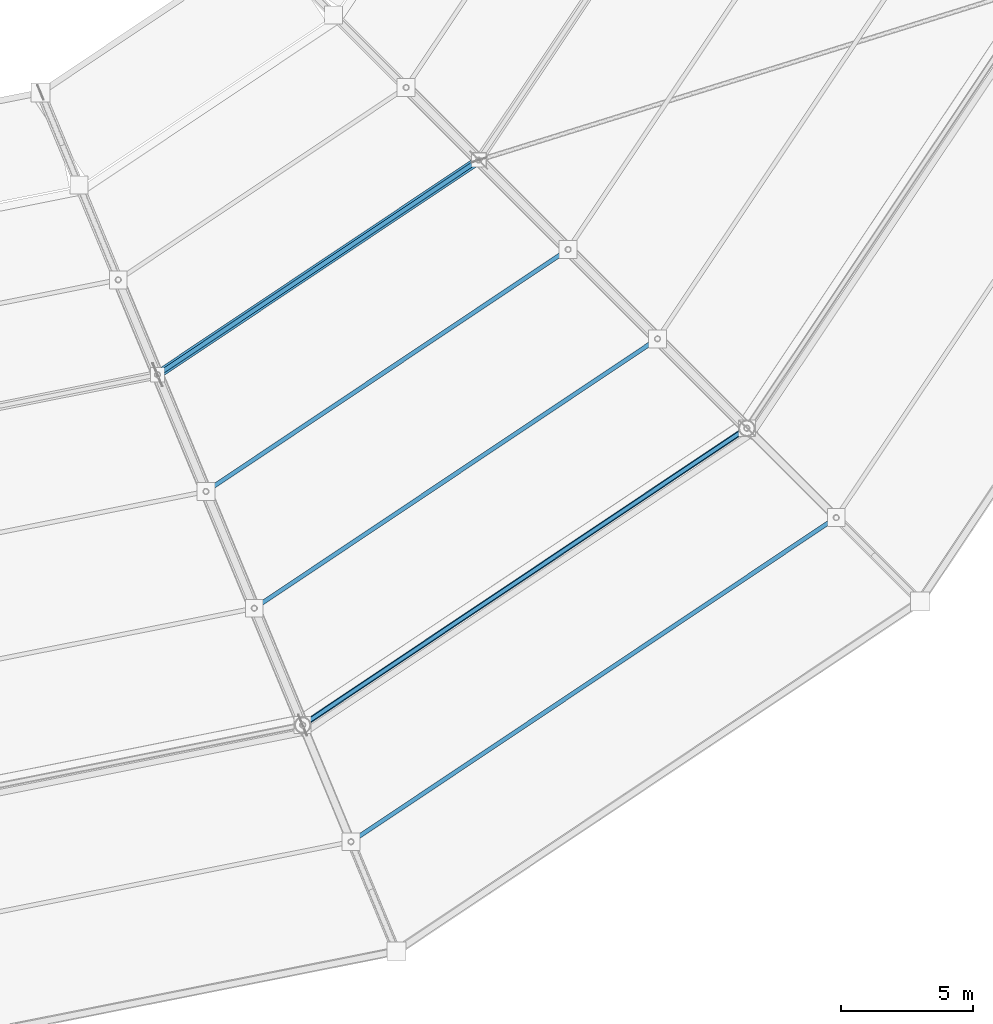
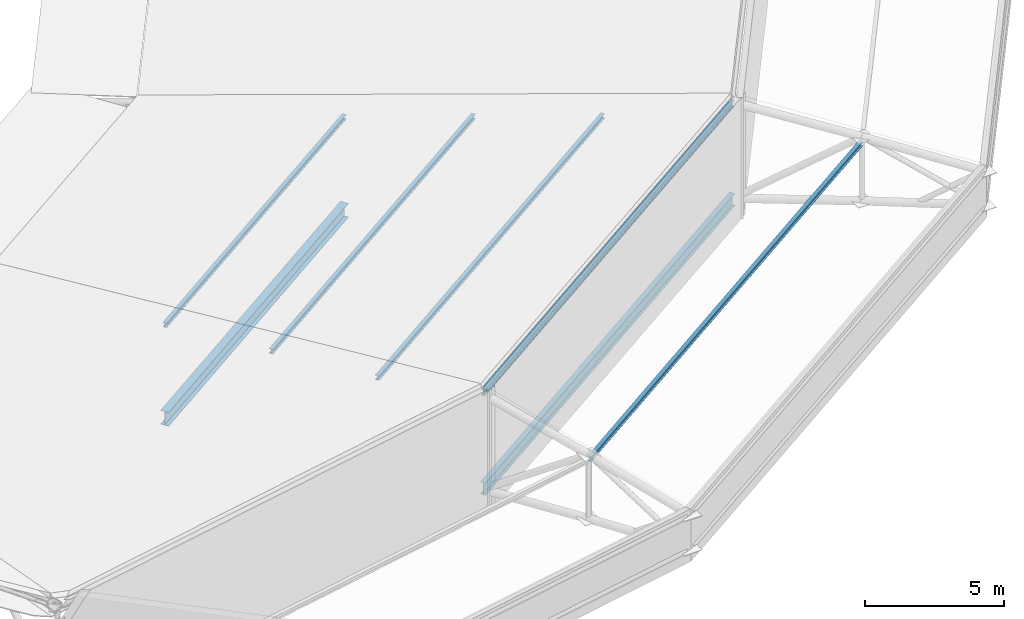
# One storey, part 64 of 146: 4 members, 3 beams.
"""IFC4 building model written with IfcOpenShell, lengths in metres."""

from ifc_helpers import new_model, si_unit, direction, frame, origin, origin_2d, place, context, subcontext, project, spatial, i_section, extrude, material, material_profile, profile_set, type_object, element, save


model = new_model("IFC4")

# Units and contexts
model_context = context("Model", 3, precision=1e-05, world=origin(), true_north=direction((0.0, 1.0)))
body_context = subcontext(model_context, "Body", "Model", "MODEL_VIEW")
ifc_project = project(units=[si_unit("LENGTHUNIT", "METRE"), si_unit("AREAUNIT", "SQUARE_METRE"), si_unit("VOLUMEUNIT", "CUBIC_METRE"), si_unit("PLANEANGLEUNIT", "RADIAN"), si_unit("MASSUNIT", "GRAM", prefix="KILO")], contexts=[model_context])

# Site, building, storey
site_placement = place(None, origin())
site = spatial("IfcSite", under=ifc_project, at=site_placement, CompositionType="ELEMENT")
building_placement = place(site_placement, origin())
building = spatial("IfcBuilding", under=site, at=building_placement, Name="Candeia Ridge Stadium", CompositionType="ELEMENT")
storey_placement = place(building_placement, frame((0.0, 0.0, 31.800048828125)))
storey = spatial("IfcBuildingStorey", under=building, at=storey_placement, Name="RF", CompositionType="ELEMENT", Elevation=31.800048828125)

# Beams
ifc_material = material(Name="Steel ASTM A572 Grade 50", Category="steel")
ifc_material_profile_1 = material_profile(ifc_material, i_section(OverallWidth=0.14794921875, OverallDepth=0.26611328125, WebThickness=0.007568359375, FlangeThickness=0.012939453125, FilletRadius=0.010986328125, at=origin_2d()), Name="W250x44.8", Category="steel")
ifc_profile_set_1 = profile_set([ifc_material_profile_1], Name="Steel ASTM A572 Grade 50")
beam_type_1 = type_object("IfcBeamType", Name="Canopy Edge Spandrel W250x44.8", PredefinedType="SPANDREL", material=ifc_profile_set_1)
beam_1_placement = place(storey_placement, frame((160.932861328125, 22.98046875, 4.599853515625), z_axis=(0.831468111774, 0.555572478713, 0.0), x_axis=(-0.555572478713, 0.831468111774, 0.0)))
element("IfcBeam", 1, at=beam_1_placement, inside=storey, type_object=beam_type_1, Name="Roof crown cap ring beam bay 27", PredefinedType="SPANDREL", context=body_context, shape_type="SweptSolid", body=[
    extrude(i_section(OverallWidth=0.14794921875, OverallDepth=0.26611328125, WebThickness=0.007568359375, FlangeThickness=0.012939453125, FilletRadius=0.010986328125, at=origin_2d()), origin(), (0.0, 0.0, 1.0), 20.20947265625),
])
ifc_material_profile_2 = material_profile(ifc_material, i_section(OverallWidth=0.324951171875, OverallDepth=0.615966796875, WebThickness=0.013916015625, FlangeThickness=0.021484375, FilletRadius=0.014892578125, at=origin_2d()), Name="W610x174", Category="steel")
ifc_profile_set_2 = profile_set([ifc_material_profile_2], Name="Steel ASTM A572 Grade 50")
beam_type_2 = type_object("IfcBeamType", Name="Roof Compression Ring Beam W610x174", PredefinedType="BEAM", material=ifc_profile_set_2)
beam_2_placement = place(storey_placement, frame((155.422119140625, 36.284423828125, -2.6640625), z_axis=(0.831470639349, 0.555568695933, 0.0), x_axis=(-0.555568695933, 0.831470639349, 0.0)))
element("IfcBeam", 2, at=beam_2_placement, inside=storey, type_object=beam_type_2, Name="Roof compression ring beam bay 27", PredefinedType="BEAM", context=body_context, shape_type="SweptSolid", body=[
    extrude(i_section(OverallWidth=0.324951171875, OverallDepth=0.615966796875, WebThickness=0.013916015625, FlangeThickness=0.021484375, FilletRadius=0.014892578125, at=origin_2d()), origin(), (0.0, 0.0, 1.0), 14.5908203125),
])
ifc_material_profile_3 = material_profile(ifc_material, i_section(OverallWidth=0.2119140625, OverallDepth=0.5439453125, WebThickness=0.01318359375, FlangeThickness=0.021240234375, FilletRadius=0.013916015625, at=origin_2d()), Name="W530x123", Category="steel")
ifc_profile_set_3 = profile_set([ifc_material_profile_3], Name="Steel ASTM A572 Grade 50")
beam_type_3 = type_object("IfcBeamType", Name="Roof Perimeter Ring Beam W530x123", PredefinedType="BEAM", material=ifc_profile_set_3)
beam_3_placement = place(storey_placement, frame((160.932861328125, 22.98046875, 0.39990234375), z_axis=(0.831468111774, 0.555572478713, 0.0), x_axis=(-0.555572478713, 0.831468111774, 0.0)))
element("IfcBeam", 3, at=beam_3_placement, inside=storey, type_object=beam_type_3, Name="Roof perimeter ring beam bay 27", PredefinedType="BEAM", context=body_context, shape_type="SweptSolid", body=[
    extrude(i_section(OverallWidth=0.2119140625, OverallDepth=0.5439453125, WebThickness=0.01318359375, FlangeThickness=0.021240234375, FilletRadius=0.013916015625, at=origin_2d()), origin(), (0.0, 0.0, 1.0), 20.20947265625),
])

# Members
ifc_material_profile_4 = material_profile(ifc_material, i_section(OverallWidth=0.1650390625, OverallDepth=0.200927734375, WebThickness=0.006103515625, FlangeThickness=0.01025390625, FilletRadius=0.010009765625, at=origin_2d()), Name="W200x35.9", Category="steel")
ifc_profile_set_4 = profile_set([ifc_material_profile_4], Name="Steel ASTM A572 Grade 50")
member_type = type_object("IfcMemberType", Name="Roof Purlin W200x35.9", PredefinedType="PURLIN", material=ifc_profile_set_4)
member_1_placement = place(storey_placement, frame((155.430419921875, 36.289794921875, 1.416015625), z_axis=(0.831467264983, 0.555573746016, 0.0), x_axis=(-0.555573746016, 0.831467264983, 0.0)))
element("IfcMember", 4, at=member_1_placement, inside=storey, type_object=member_type, Name="Saddle roof steel purlin bay 27-2", PredefinedType="PURLIN", context=body_context, shape_type="SweptSolid", body=[
    extrude(i_section(OverallWidth=0.1650390625, OverallDepth=0.200927734375, WebThickness=0.006103515625, FlangeThickness=0.01025390625, FilletRadius=0.010009765625, at=origin_2d()), origin(), (0.0, 0.0, 1.0), 14.57080078125),
])
member_2_placement = place(storey_placement, frame((157.267333984375, 31.855224609375, 2.303955078125), z_axis=(0.831465086253, 0.555577006671, 0.0), x_axis=(-0.555577006671, 0.831465086253, 0.0)))
element("IfcMember", 5, at=member_2_placement, inside=storey, type_object=member_type, Name="Saddle roof steel purlin bay 27-3", PredefinedType="PURLIN", context=body_context, shape_type="SweptSolid", body=[
    extrude(i_section(OverallWidth=0.1650390625, OverallDepth=0.200927734375, WebThickness=0.006103515625, FlangeThickness=0.01025390625, FilletRadius=0.010009765625, at=origin_2d()), origin(), (0.0, 0.0, 1.0), 16.443603515625),
])
member_3_placement = place(storey_placement, frame((159.104248046875, 27.420654296875, 3.19189453125), z_axis=(0.83147362437, 0.555564228489, 0.0), x_axis=(-0.555564228489, 0.83147362437, 0.0)))
element("IfcMember", 6, at=member_3_placement, inside=storey, type_object=member_type, Name="Saddle roof steel purlin bay 27-4", PredefinedType="PURLIN", context=body_context, shape_type="SweptSolid", body=[
    extrude(i_section(OverallWidth=0.1650390625, OverallDepth=0.200927734375, WebThickness=0.006103515625, FlangeThickness=0.01025390625, FilletRadius=0.010009765625, at=origin_2d()), origin(), (0.0, 0.0, 1.0), 18.316650390625),
])
member_4_placement = place(storey_placement, frame((162.778076171875, 18.551513671875, 3.73828125), z_axis=(0.83146929699, 0.555570704918, 0.0), x_axis=(-0.555570704918, 0.83146929699, 0.0)))
element("IfcMember", 7, at=member_4_placement, inside=storey, type_object=member_type, Name="Saddle roof steel purlin bay 27-5", PredefinedType="PURLIN", context=body_context, shape_type="SweptSolid", body=[
    extrude(i_section(OverallWidth=0.1650390625, OverallDepth=0.200927734375, WebThickness=0.006103515625, FlangeThickness=0.01025390625, FilletRadius=0.010009765625, at=origin_2d()), origin(), (0.0, 0.0, 1.0), 22.062255859375),
])

save(model, "model.ifc")
